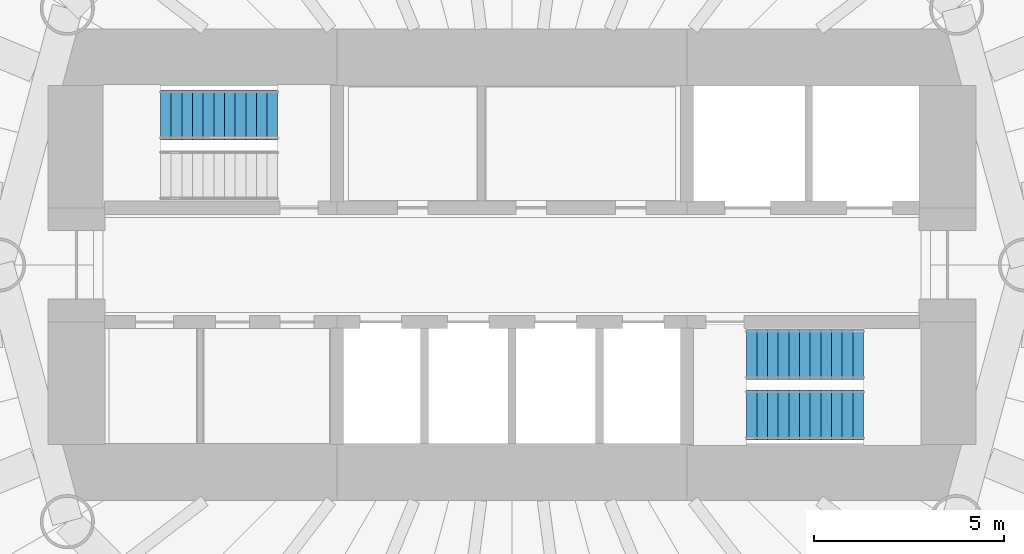
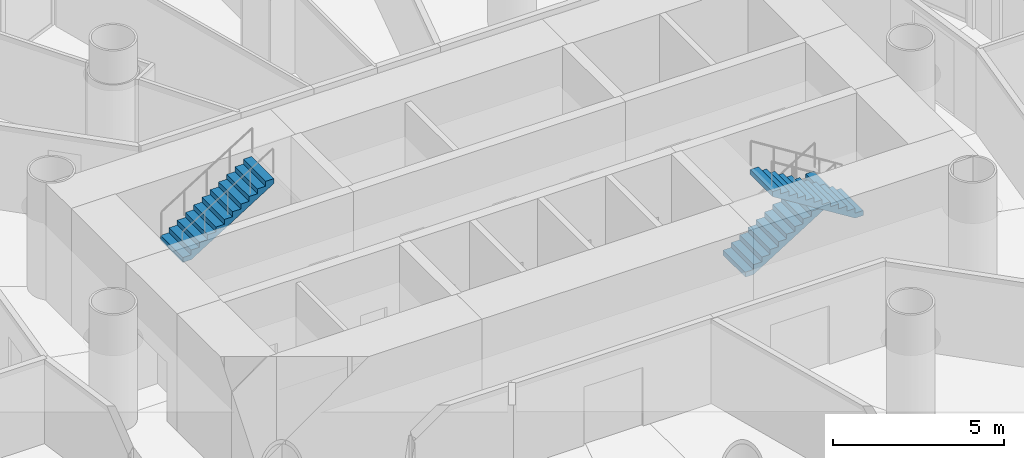
# One storey, part 12 of 16: 3 stair flights, 2 elements without a shape of their own.
"""IFC4 building model written with IfcOpenShell, lengths in metres."""

from ifc_helpers import new_model, si_unit, direction, frame, origin, place, context, subcontext, project, spatial, polyline, outline, extrude, material, type_object, element, aggregate, save


model = new_model("IFC4")

# Units and contexts
model_context = context("Model", 3, precision=1e-05, world=origin(), true_north=direction((0.0, 1.0)))
body_context = subcontext(model_context, "Body", "Model", "MODEL_VIEW")
ifc_project = project(units=[si_unit("LENGTHUNIT", "METRE"), si_unit("AREAUNIT", "SQUARE_METRE"), si_unit("VOLUMEUNIT", "CUBIC_METRE"), si_unit("PLANEANGLEUNIT", "RADIAN"), si_unit("MASSUNIT", "GRAM", prefix="KILO")], contexts=[model_context])

# Site, building, storey
site_placement = place(None, origin())
site = spatial("IfcSite", under=ifc_project, at=site_placement, CompositionType="ELEMENT")
building_placement = place(site_placement, origin())
building = spatial("IfcBuilding", under=site, at=building_placement, Name="Qaws Media Tower", CompositionType="ELEMENT")
storey_placement = place(building_placement, frame((0.0, 0.0, 269.60009765625)))
storey = spatial("IfcBuildingStorey", under=building, at=storey_placement, Name="L62", CompositionType="ELEMENT", Elevation=269.60009765625)

# Stair, stair flight
ifc_material_1 = material(Name="Concrete C40/50", Category="concrete")
stair_type = type_object("IfcStairType", Name="Exit stair", PredefinedType="HALF_TURN_STAIR", material=ifc_material_1)
stair_1_placement = place(storey_placement, origin())
stair_1 = element("IfcStair", 1, at=stair_1_placement, inside=storey, type_object=stair_type, Name="S1 exit stair L62", PredefinedType="HALF_TURN_STAIR")
ifc_material_2 = material(Name="Concrete C40/50", Category="concrete")
stair_flight_type = type_object("IfcStairFlightType", Name="Stair flight 1310", PredefinedType="STRAIGHT", material=ifc_material_2)
stair_flight_1_placement = place(storey_placement, frame((50.760009765625, 53.945068359375, 2.099853515625), z_axis=(0.0, 0.0, 1.0), x_axis=(1.0, 0.0, 0.0)))
stair_flight_1 = element("IfcStairFlight", 2, at=stair_flight_1_placement, type_object=stair_flight_type, Name="S1 flight 2", NumberOfRisers=12, NumberOfTreads=11, PredefinedType="STRAIGHT", RiserHeight=0.175, TreadLength=0.28, context=body_context, shape_type="SweptSolid", body=[
    extrude(outline(polyline([(0.0, 0.0), (0.0, 0.175048828125), (0.280029296875, 0.175048828125), (0.280029296875, 0.35009765625), (0.56005859375, 0.35009765625), (0.56005859375, 0.52490234375), (0.840087890625, 0.52490234375), (0.840087890625, 0.699951171875), (1.1201171875, 0.699951171875), (1.1201171875, 0.875), (1.39990234375, 0.875), (1.39990234375, 1.050048828125), (1.679931640625, 1.050048828125), (1.679931640625, 1.22509765625), (1.9599609375, 1.22509765625), (1.9599609375, 1.39990234375), (2.239990234375, 1.39990234375), (2.239990234375, 1.574951171875), (2.52001953125, 1.574951171875), (2.52001953125, 1.75), (2.800048828125, 1.75), (2.800048828125, 1.925048828125), (3.080078125, 1.925048828125), (3.080078125, 2.10009765625), (3.080078125, 1.748291015625), (0.28271484375, 0.0), (0.0, 0.0)])), frame((0.0, 0.655029296875, 0.0), z_axis=(0.0, -1.0, 0.0), x_axis=(1.0, 0.0, 0.0)), (0.0, 0.0, 1.0), 1.31005859375),
])
aggregate(stair_1, [stair_flight_1])

# Stair, stair flights
stair_2_placement = place(storey_placement, origin())
stair_2 = element("IfcStair", 3, at=stair_2_placement, inside=storey, type_object=stair_type, Name="S2 exit stair L62", PredefinedType="HALF_TURN_STAIR")
stair_flight_2_placement = place(storey_placement, frame((66.159912109375, 47.64501953125, 0.0), z_axis=(0.0, 0.0, 1.0), x_axis=(1.0, 0.0, 0.0)))
stair_flight_2 = element("IfcStairFlight", 4, at=stair_flight_2_placement, type_object=stair_flight_type, Name="S2 flight 1", NumberOfRisers=12, NumberOfTreads=11, PredefinedType="STRAIGHT", RiserHeight=0.175, TreadLength=0.28, context=body_context, shape_type="SweptSolid", body=[
    extrude(outline(polyline([(0.0, 0.0), (0.0, 0.175048828125), (0.280029296875, 0.175048828125), (0.280029296875, 0.35009765625), (0.56005859375, 0.35009765625), (0.56005859375, 0.52490234375), (0.840087890625, 0.52490234375), (0.840087890625, 0.699951171875), (1.1201171875, 0.699951171875), (1.1201171875, 0.875), (1.39990234375, 0.875), (1.39990234375, 1.050048828125), (1.679931640625, 1.050048828125), (1.679931640625, 1.22509765625), (1.9599609375, 1.22509765625), (1.9599609375, 1.39990234375), (2.239990234375, 1.39990234375), (2.239990234375, 1.574951171875), (2.52001953125, 1.574951171875), (2.52001953125, 1.75), (2.800048828125, 1.75), (2.800048828125, 1.925048828125), (3.080078125, 1.925048828125), (3.080078125, 2.10009765625), (3.080078125, 1.748291015625), (0.28271484375, 0.0), (0.0, 0.0)])), frame((0.0, 0.655029296875, 0.0), z_axis=(0.0, -1.0, 0.0), x_axis=(1.0, 0.0, 0.0)), (0.0, 0.0, 1.0), 1.31005859375),
])
stair_flight_3_placement = place(storey_placement, frame((69.239990234375, 46.054931640625, 2.099853515625), z_axis=(0.0, 0.0, 1.0), x_axis=(-1.0, 0.0, 0.0)))
stair_flight_3 = element("IfcStairFlight", 5, at=stair_flight_3_placement, type_object=stair_flight_type, Name="S2 flight 2", NumberOfRisers=12, NumberOfTreads=11, PredefinedType="STRAIGHT", RiserHeight=0.175, TreadLength=0.28, context=body_context, shape_type="SweptSolid", body=[
    extrude(outline(polyline([(0.0, 0.0), (0.0, 0.175048828125), (0.280029296875, 0.175048828125), (0.280029296875, 0.35009765625), (0.56005859375, 0.35009765625), (0.56005859375, 0.52490234375), (0.840087890625, 0.52490234375), (0.840087890625, 0.699951171875), (1.1201171875, 0.699951171875), (1.1201171875, 0.875), (1.39990234375, 0.875), (1.39990234375, 1.050048828125), (1.679931640625, 1.050048828125), (1.679931640625, 1.22509765625), (1.9599609375, 1.22509765625), (1.9599609375, 1.39990234375), (2.239990234375, 1.39990234375), (2.239990234375, 1.574951171875), (2.52001953125, 1.574951171875), (2.52001953125, 1.75), (2.800048828125, 1.75), (2.800048828125, 1.925048828125), (3.080078125, 1.925048828125), (3.080078125, 2.10009765625), (3.080078125, 1.748291015625), (0.28271484375, 0.0), (0.0, 0.0)])), frame((0.0, 0.655029296875, 0.0), z_axis=(0.0, -1.0, 0.0), x_axis=(1.0, 0.0, 0.0)), (0.0, 0.0, 1.0), 1.31005859375),
])
aggregate(stair_2, [stair_flight_2, stair_flight_3])

save(model, "model.ifc")
